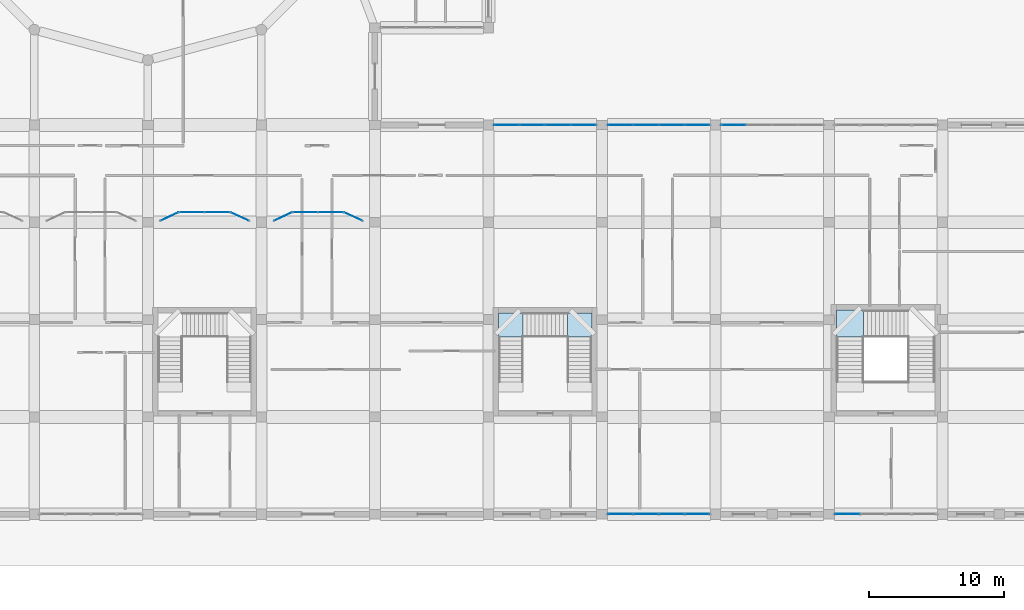
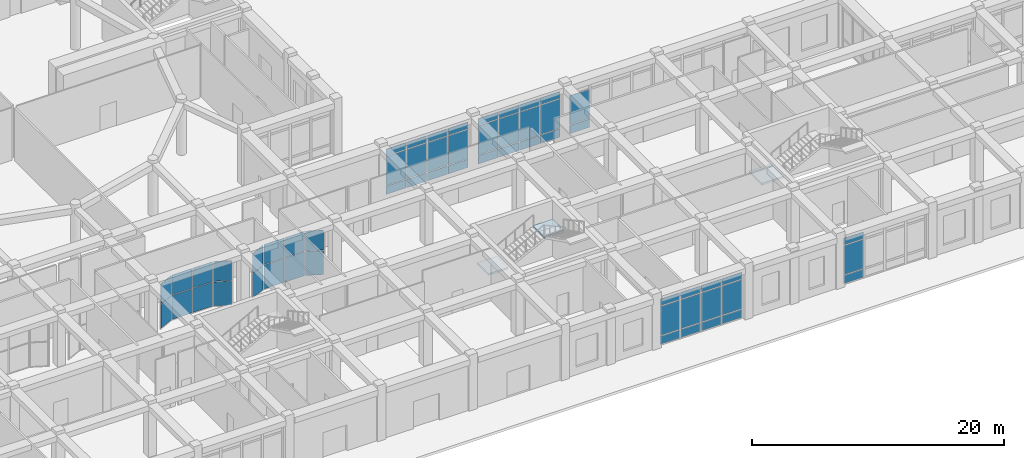
# One storey, part 52 of 84: 57 plates, 3 slabs, 13 elements without a shape of their own.
"""IFC4 building model written with IfcOpenShell, lengths in metres."""

from ifc_helpers import new_model, si_unit, derived_unit, direction, frame, origin, origin_2d, place, context, subcontext, project, spatial, polyline, rectangle, outline, extrude, material, layer, layer_set, type_object, element, aggregate, save


model = new_model("IFC4")

# Units and contexts
model_context = context("Model", 3, precision=1e-05, world=origin(), true_north=direction((0.0, 1.0)))
body_context = subcontext(model_context, "Body", "Model", "MODEL_VIEW")
ifc_project = project(units=[si_unit("LENGTHUNIT", "METRE"), si_unit("AREAUNIT", "SQUARE_METRE"), si_unit("VOLUMEUNIT", "CUBIC_METRE"), si_unit("PLANEANGLEUNIT", "RADIAN"), si_unit("MASSUNIT", "GRAM", prefix="KILO"), derived_unit("THERMALTRANSMITTANCEUNIT", [(si_unit("POWERUNIT", "WATT"), 1), (si_unit("LENGTHUNIT", "METRE"), -2), (si_unit("THERMODYNAMICTEMPERATUREUNIT", "KELVIN"), -1)])], contexts=[model_context])

# Site, building, storey
site_placement = place(None, origin())
site = spatial("IfcSite", under=ifc_project, at=site_placement, CompositionType="ELEMENT")
building_placement = place(site_placement, origin())
building = spatial("IfcBuilding", under=site, at=building_placement, Name="Veybourne Emporium", CompositionType="ELEMENT")
storey_placement = place(building_placement, origin())
storey = spatial("IfcBuildingStorey", under=building, at=storey_placement, Name="L00", CompositionType="ELEMENT", Elevation=0.0)

# Curtain wall, plates
ifc_material_1 = material(Name="Patinated Architectural Bronze", Category="bronze")
curtain_wall_type_1 = type_object("IfcCurtainWallType", Name="CWSystem_CWS-09", PredefinedType="NOTDEFINED", material=ifc_material_1)
curtain_wall_1_placement = place(storey_placement, origin())
curtain_wall_1 = element("IfcCurtainWall", 1, at=curtain_wall_1_placement, inside=storey, type_object=curtain_wall_type_1, Name="L00 bronze glazed curtain wall CWS-09 (054)", PredefinedType="NOTDEFINED")
ifc_material_2 = material(Name="Solar Control Laminated Glass", Category="glass")
ifc_layer_1 = layer(ifc_material_2, 0.035888671875)
ifc_layer_set_1 = layer_set([ifc_layer_1], Name="Solar Control Laminated Glass")
plate_type_1 = type_object("IfcPlateType", Name="CWPanel_CW-P2", PredefinedType="CURTAIN_PANEL", material=ifc_layer_set_1)
plate_1_placement = place(storey_placement, frame((102.146240234375, 28.800048828125, 0.072021484375), z_axis=(0.0, 0.0, 1.0), x_axis=(1.0, 0.0, 0.0)))
plate_1 = element("IfcPlate", 2, at=plate_1_placement, type_object=plate_type_1, Name="CWS-09 panel 1.1", PredefinedType="CURTAIN_PANEL", context=body_context, shape_type="SweptSolid", body=[
    extrude(rectangle(XDim=1.79833984375, YDim=0.035888671875, at=origin_2d()), origin(), (0.0, 0.0, 1.0), 0.7919921875),
])
plate_2_placement = place(storey_placement, frame((102.146240234375, 28.800048828125, 0.93603515625), z_axis=(0.0, 0.0, 1.0), x_axis=(1.0, 0.0, 0.0)))
plate_2 = element("IfcPlate", 3, at=plate_2_placement, type_object=plate_type_1, Name="CWS-09 panel 1.2", PredefinedType="CURTAIN_PANEL", context=body_context, shape_type="SweptSolid", body=[
    extrude(rectangle(XDim=1.79833984375, YDim=0.035888671875, at=origin_2d()), origin(), (0.0, 0.0, 1.0), 2.80810546875),
])
plate_3_placement = place(storey_placement, frame((102.146240234375, 28.800048828125, 3.81591796875), z_axis=(0.0, 0.0, 1.0), x_axis=(1.0, 0.0, 0.0)))
plate_3 = element("IfcPlate", 4, at=plate_3_placement, type_object=plate_type_1, Name="CWS-09 panel 1.3", PredefinedType="CURTAIN_PANEL", context=body_context, shape_type="SweptSolid", body=[
    extrude(rectangle(XDim=1.79833984375, YDim=0.035888671875, at=origin_2d()), origin(), (0.0, 0.0, 1.0), 0.64208984375),
])
plate_4_placement = place(storey_placement, frame((104.034423828125, 28.800048828125, 0.072021484375), z_axis=(0.0, 0.0, 1.0), x_axis=(1.0, 0.0, 0.0)))
plate_4 = element("IfcPlate", 5, at=plate_4_placement, type_object=plate_type_1, Name="CWS-09 panel 2.1", PredefinedType="CURTAIN_PANEL", context=body_context, shape_type="SweptSolid", body=[
    extrude(rectangle(XDim=1.834228515625, YDim=0.035888671875, at=origin_2d()), origin(), (0.0, 0.0, 1.0), 0.7919921875),
])
plate_5_placement = place(storey_placement, frame((104.034423828125, 28.800048828125, 0.93603515625), z_axis=(0.0, 0.0, 1.0), x_axis=(1.0, 0.0, 0.0)))
plate_5 = element("IfcPlate", 6, at=plate_5_placement, type_object=plate_type_1, Name="CWS-09 panel 2.2", PredefinedType="CURTAIN_PANEL", context=body_context, shape_type="SweptSolid", body=[
    extrude(rectangle(XDim=1.834228515625, YDim=0.035888671875, at=origin_2d()), origin(), (0.0, 0.0, 1.0), 2.80810546875),
])
plate_6_placement = place(storey_placement, frame((104.034423828125, 28.800048828125, 3.81591796875), z_axis=(0.0, 0.0, 1.0), x_axis=(1.0, 0.0, 0.0)))
plate_6 = element("IfcPlate", 7, at=plate_6_placement, type_object=plate_type_1, Name="CWS-09 panel 2.3", PredefinedType="CURTAIN_PANEL", context=body_context, shape_type="SweptSolid", body=[
    extrude(rectangle(XDim=1.834228515625, YDim=0.035888671875, at=origin_2d()), origin(), (0.0, 0.0, 1.0), 0.64208984375),
])
plate_7_placement = place(storey_placement, frame((105.940673828125, 28.800048828125, 0.072021484375), z_axis=(0.0, 0.0, 1.0), x_axis=(1.0, 0.0, 0.0)))
plate_7 = element("IfcPlate", 8, at=plate_7_placement, type_object=plate_type_1, Name="CWS-09 panel 3.1", PredefinedType="CURTAIN_PANEL", context=body_context, shape_type="SweptSolid", body=[
    extrude(rectangle(XDim=1.834228515625, YDim=0.035888671875, at=origin_2d()), origin(), (0.0, 0.0, 1.0), 0.7919921875),
])
plate_8_placement = place(storey_placement, frame((105.940673828125, 28.800048828125, 0.93603515625), z_axis=(0.0, 0.0, 1.0), x_axis=(1.0, 0.0, 0.0)))
plate_8 = element("IfcPlate", 9, at=plate_8_placement, type_object=plate_type_1, Name="CWS-09 panel 3.2", PredefinedType="CURTAIN_PANEL", context=body_context, shape_type="SweptSolid", body=[
    extrude(rectangle(XDim=1.834228515625, YDim=0.035888671875, at=origin_2d()), origin(), (0.0, 0.0, 1.0), 2.80810546875),
])
plate_9_placement = place(storey_placement, frame((105.940673828125, 28.800048828125, 3.81591796875), z_axis=(0.0, 0.0, 1.0), x_axis=(1.0, 0.0, 0.0)))
plate_9 = element("IfcPlate", 10, at=plate_9_placement, type_object=plate_type_1, Name="CWS-09 panel 3.3", PredefinedType="CURTAIN_PANEL", context=body_context, shape_type="SweptSolid", body=[
    extrude(rectangle(XDim=1.834228515625, YDim=0.035888671875, at=origin_2d()), origin(), (0.0, 0.0, 1.0), 0.64208984375),
])
plate_10_placement = place(storey_placement, frame((107.828857421875, 28.800048828125, 0.072021484375), z_axis=(0.0, 0.0, 1.0), x_axis=(1.0, 0.0, 0.0)))
plate_10 = element("IfcPlate", 11, at=plate_10_placement, type_object=plate_type_1, Name="CWS-09 panel 4.1", PredefinedType="CURTAIN_PANEL", context=body_context, shape_type="SweptSolid", body=[
    extrude(rectangle(XDim=1.79833984375, YDim=0.035888671875, at=origin_2d()), origin(), (0.0, 0.0, 1.0), 0.7919921875),
])
plate_11_placement = place(storey_placement, frame((107.828857421875, 28.800048828125, 0.93603515625), z_axis=(0.0, 0.0, 1.0), x_axis=(1.0, 0.0, 0.0)))
plate_11 = element("IfcPlate", 12, at=plate_11_placement, type_object=plate_type_1, Name="CWS-09 panel 4.2", PredefinedType="CURTAIN_PANEL", context=body_context, shape_type="SweptSolid", body=[
    extrude(rectangle(XDim=1.79833984375, YDim=0.035888671875, at=origin_2d()), origin(), (0.0, 0.0, 1.0), 2.80810546875),
])
plate_12_placement = place(storey_placement, frame((107.828857421875, 28.800048828125, 3.81591796875), z_axis=(0.0, 0.0, 1.0), x_axis=(1.0, 0.0, 0.0)))
plate_12 = element("IfcPlate", 13, at=plate_12_placement, type_object=plate_type_1, Name="CWS-09 panel 4.3", PredefinedType="CURTAIN_PANEL", context=body_context, shape_type="SweptSolid", body=[
    extrude(rectangle(XDim=1.79833984375, YDim=0.035888671875, at=origin_2d()), origin(), (0.0, 0.0, 1.0), 0.64208984375),
])
aggregate(curtain_wall_1, [plate_1, plate_2, plate_3, plate_4, plate_5, plate_6, plate_7, plate_8, plate_9, plate_10, plate_11, plate_12])

curtain_wall_type_2 = type_object("IfcCurtainWallType", Name="CWSystem_CWS-11", PredefinedType="NOTDEFINED", material=ifc_material_1)
curtain_wall_2_placement = place(storey_placement, origin())
curtain_wall_2 = element("IfcCurtainWall", 14, at=curtain_wall_2_placement, inside=storey, type_object=curtain_wall_type_2, Name="L00 bronze glazed curtain wall CWS-11 (057)", PredefinedType="NOTDEFINED")
plate_13_placement = place(storey_placement, frame((116.25244140625, 0.0, 0.078125), z_axis=(0.0, 0.0, 1.0), x_axis=(-1.0, 0.0, 0.0)))
plate_13 = element("IfcPlate", 15, at=plate_13_placement, type_object=plate_type_1, Name="CWS-11 panel 1.1", PredefinedType="CURTAIN_PANEL", context=body_context, shape_type="SweptSolid", body=[
    extrude(rectangle(XDim=1.789306640625, YDim=0.035888671875, at=origin_2d()), origin(), (0.0, 0.0, 1.0), 0.782958984375),
])
plate_14_placement = place(storey_placement, frame((116.25244140625, 0.0, 0.93896484375), z_axis=(0.0, 0.0, 1.0), x_axis=(-1.0, 0.0, 0.0)))
plate_14 = element("IfcPlate", 16, at=plate_14_placement, type_object=plate_type_1, Name="CWS-11 panel 1.2", PredefinedType="CURTAIN_PANEL", context=body_context, shape_type="SweptSolid", body=[
    extrude(rectangle(XDim=1.789306640625, YDim=0.035888671875, at=origin_2d()), origin(), (0.0, 0.0, 1.0), 2.802001953125),
])
plate_15_placement = place(storey_placement, frame((116.25244140625, 0.0, 3.81884765625), z_axis=(0.0, 0.0, 1.0), x_axis=(-1.0, 0.0, 0.0)))
plate_15 = element("IfcPlate", 17, at=plate_15_placement, type_object=plate_type_1, Name="CWS-11 panel 1.3", PredefinedType="CURTAIN_PANEL", context=body_context, shape_type="SweptSolid", body=[
    extrude(rectangle(XDim=1.789306640625, YDim=0.035888671875, at=origin_2d()), origin(), (0.0, 0.0, 1.0), 0.633056640625),
])
plate_16_placement = place(storey_placement, frame((114.36572265625, 0.0, 0.078125), z_axis=(0.0, 0.0, 1.0), x_axis=(-1.0, 0.0, 0.0)))
plate_16 = element("IfcPlate", 18, at=plate_16_placement, type_object=plate_type_1, Name="CWS-11 panel 2.1", PredefinedType="CURTAIN_PANEL", context=body_context, shape_type="SweptSolid", body=[
    extrude(rectangle(XDim=1.828369140625, YDim=0.035888671875, at=origin_2d()), origin(), (0.0, 0.0, 1.0), 0.782958984375),
])
plate_17_placement = place(storey_placement, frame((114.36572265625, 0.0, 0.93896484375), z_axis=(0.0, 0.0, 1.0), x_axis=(-1.0, 0.0, 0.0)))
plate_17 = element("IfcPlate", 19, at=plate_17_placement, type_object=plate_type_1, Name="CWS-11 panel 2.2", PredefinedType="CURTAIN_PANEL", context=body_context, shape_type="SweptSolid", body=[
    extrude(rectangle(XDim=1.828369140625, YDim=0.035888671875, at=origin_2d()), origin(), (0.0, 0.0, 1.0), 2.802001953125),
])
plate_18_placement = place(storey_placement, frame((114.36572265625, 0.0, 3.81884765625), z_axis=(0.0, 0.0, 1.0), x_axis=(-1.0, 0.0, 0.0)))
plate_18 = element("IfcPlate", 20, at=plate_18_placement, type_object=plate_type_1, Name="CWS-11 panel 2.3", PredefinedType="CURTAIN_PANEL", context=body_context, shape_type="SweptSolid", body=[
    extrude(rectangle(XDim=1.828369140625, YDim=0.035888671875, at=origin_2d()), origin(), (0.0, 0.0, 1.0), 0.633056640625),
])
plate_19_placement = place(storey_placement, frame((112.45947265625, 0.0, 0.078125), z_axis=(0.0, 0.0, 1.0), x_axis=(-1.0, 0.0, 0.0)))
plate_19 = element("IfcPlate", 21, at=plate_19_placement, type_object=plate_type_1, Name="CWS-11 panel 3.1", PredefinedType="CURTAIN_PANEL", context=body_context, shape_type="SweptSolid", body=[
    extrude(rectangle(XDim=1.828369140625, YDim=0.035888671875, at=origin_2d()), origin(), (0.0, 0.0, 1.0), 0.782958984375),
])
plate_20_placement = place(storey_placement, frame((112.45947265625, 0.0, 0.93896484375), z_axis=(0.0, 0.0, 1.0), x_axis=(-1.0, 0.0, 0.0)))
plate_20 = element("IfcPlate", 22, at=plate_20_placement, type_object=plate_type_1, Name="CWS-11 panel 3.2", PredefinedType="CURTAIN_PANEL", context=body_context, shape_type="SweptSolid", body=[
    extrude(rectangle(XDim=1.828369140625, YDim=0.035888671875, at=origin_2d()), origin(), (0.0, 0.0, 1.0), 2.802001953125),
])
plate_21_placement = place(storey_placement, frame((112.45947265625, 0.0, 3.81884765625), z_axis=(0.0, 0.0, 1.0), x_axis=(-1.0, 0.0, 0.0)))
plate_21 = element("IfcPlate", 23, at=plate_21_placement, type_object=plate_type_1, Name="CWS-11 panel 3.3", PredefinedType="CURTAIN_PANEL", context=body_context, shape_type="SweptSolid", body=[
    extrude(rectangle(XDim=1.828369140625, YDim=0.035888671875, at=origin_2d()), origin(), (0.0, 0.0, 1.0), 0.633056640625),
])
plate_22_placement = place(storey_placement, frame((110.572509765625, 0.0, 0.078125), z_axis=(0.0, 0.0, 1.0), x_axis=(-1.0, 0.0, 0.0)))
plate_22 = element("IfcPlate", 24, at=plate_22_placement, type_object=plate_type_1, Name="CWS-11 panel 4.1", PredefinedType="CURTAIN_PANEL", context=body_context, shape_type="SweptSolid", body=[
    extrude(rectangle(XDim=1.789306640625, YDim=0.035888671875, at=origin_2d()), origin(), (0.0, 0.0, 1.0), 0.782958984375),
])
plate_23_placement = place(storey_placement, frame((110.572509765625, 0.0, 0.93896484375), z_axis=(0.0, 0.0, 1.0), x_axis=(-1.0, 0.0, 0.0)))
plate_23 = element("IfcPlate", 25, at=plate_23_placement, type_object=plate_type_1, Name="CWS-11 panel 4.2", PredefinedType="CURTAIN_PANEL", context=body_context, shape_type="SweptSolid", body=[
    extrude(rectangle(XDim=1.789306640625, YDim=0.035888671875, at=origin_2d()), origin(), (0.0, 0.0, 1.0), 2.802001953125),
])
plate_24_placement = place(storey_placement, frame((110.572509765625, 0.0, 3.81884765625), z_axis=(0.0, 0.0, 1.0), x_axis=(-1.0, 0.0, 0.0)))
plate_24 = element("IfcPlate", 26, at=plate_24_placement, type_object=plate_type_1, Name="CWS-11 panel 4.3", PredefinedType="CURTAIN_PANEL", context=body_context, shape_type="SweptSolid", body=[
    extrude(rectangle(XDim=1.789306640625, YDim=0.035888671875, at=origin_2d()), origin(), (0.0, 0.0, 1.0), 0.633056640625),
])
aggregate(curtain_wall_2, [plate_13, plate_14, plate_15, plate_16, plate_17, plate_18, plate_19, plate_20, plate_21, plate_22, plate_23, plate_24])

curtain_wall_type_3 = type_object("IfcCurtainWallType", Name="CWSystem_CWS-12", PredefinedType="NOTDEFINED", material=ifc_material_1)
curtain_wall_3_placement = place(storey_placement, origin())
curtain_wall_3 = element("IfcCurtainWall", 27, at=curtain_wall_3_placement, inside=storey, type_object=curtain_wall_type_3, Name="L00 bronze glazed curtain wall CWS-12 (058)", PredefinedType="NOTDEFINED")
plate_25_placement = place(storey_placement, frame((110.570556640625, 28.800048828125, 0.070068359375), z_axis=(0.0, 0.0, 1.0), x_axis=(1.0, 0.0, 0.0)))
plate_25 = element("IfcPlate", 28, at=plate_25_placement, type_object=plate_type_1, Name="CWS-12 panel 1.1", PredefinedType="CURTAIN_PANEL", context=body_context, shape_type="SweptSolid", body=[
    extrude(rectangle(XDim=1.80126953125, YDim=0.035888671875, at=origin_2d()), origin(), (0.0, 0.0, 1.0), 0.794921875),
])
plate_26_placement = place(storey_placement, frame((110.570556640625, 28.800048828125, 0.93505859375), z_axis=(0.0, 0.0, 1.0), x_axis=(1.0, 0.0, 0.0)))
plate_26 = element("IfcPlate", 29, at=plate_26_placement, type_object=plate_type_1, Name="CWS-12 panel 1.2", PredefinedType="CURTAIN_PANEL", context=body_context, shape_type="SweptSolid", body=[
    extrude(rectangle(XDim=1.80126953125, YDim=0.035888671875, at=origin_2d()), origin(), (0.0, 0.0, 1.0), 2.81005859375),
])
plate_27_placement = place(storey_placement, frame((110.570556640625, 28.800048828125, 3.81494140625), z_axis=(0.0, 0.0, 1.0), x_axis=(1.0, 0.0, 0.0)))
plate_27 = element("IfcPlate", 30, at=plate_27_placement, type_object=plate_type_1, Name="CWS-12 panel 1.3", PredefinedType="CURTAIN_PANEL", context=body_context, shape_type="SweptSolid", body=[
    extrude(rectangle(XDim=1.80126953125, YDim=0.035888671875, at=origin_2d()), origin(), (0.0, 0.0, 1.0), 0.64501953125),
])
plate_28_placement = place(storey_placement, frame((112.45947265625, 28.800048828125, 0.070068359375), z_axis=(0.0, 0.0, 1.0), x_axis=(1.0, 0.0, 0.0)))
plate_28 = element("IfcPlate", 31, at=plate_28_placement, type_object=plate_type_1, Name="CWS-12 panel 2.1", PredefinedType="CURTAIN_PANEL", context=body_context, shape_type="SweptSolid", body=[
    extrude(rectangle(XDim=1.836181640625, YDim=0.035888671875, at=origin_2d()), origin(), (0.0, 0.0, 1.0), 0.794921875),
])
plate_29_placement = place(storey_placement, frame((112.45947265625, 28.800048828125, 0.93505859375), z_axis=(0.0, 0.0, 1.0), x_axis=(1.0, 0.0, 0.0)))
plate_29 = element("IfcPlate", 32, at=plate_29_placement, type_object=plate_type_1, Name="CWS-12 panel 2.2", PredefinedType="CURTAIN_PANEL", context=body_context, shape_type="SweptSolid", body=[
    extrude(rectangle(XDim=1.836181640625, YDim=0.035888671875, at=origin_2d()), origin(), (0.0, 0.0, 1.0), 2.81005859375),
])
plate_30_placement = place(storey_placement, frame((112.45947265625, 28.800048828125, 3.81494140625), z_axis=(0.0, 0.0, 1.0), x_axis=(1.0, 0.0, 0.0)))
plate_30 = element("IfcPlate", 33, at=plate_30_placement, type_object=plate_type_1, Name="CWS-12 panel 2.3", PredefinedType="CURTAIN_PANEL", context=body_context, shape_type="SweptSolid", body=[
    extrude(rectangle(XDim=1.836181640625, YDim=0.035888671875, at=origin_2d()), origin(), (0.0, 0.0, 1.0), 0.64501953125),
])
plate_31_placement = place(storey_placement, frame((114.36572265625, 28.800048828125, 0.070068359375), z_axis=(0.0, 0.0, 1.0), x_axis=(1.0, 0.0, 0.0)))
plate_31 = element("IfcPlate", 34, at=plate_31_placement, type_object=plate_type_1, Name="CWS-12 panel 3.1", PredefinedType="CURTAIN_PANEL", context=body_context, shape_type="SweptSolid", body=[
    extrude(rectangle(XDim=1.836181640625, YDim=0.035888671875, at=origin_2d()), origin(), (0.0, 0.0, 1.0), 0.794921875),
])
plate_32_placement = place(storey_placement, frame((114.36572265625, 28.800048828125, 0.93505859375), z_axis=(0.0, 0.0, 1.0), x_axis=(1.0, 0.0, 0.0)))
plate_32 = element("IfcPlate", 35, at=plate_32_placement, type_object=plate_type_1, Name="CWS-12 panel 3.2", PredefinedType="CURTAIN_PANEL", context=body_context, shape_type="SweptSolid", body=[
    extrude(rectangle(XDim=1.836181640625, YDim=0.035888671875, at=origin_2d()), origin(), (0.0, 0.0, 1.0), 2.81005859375),
])
plate_33_placement = place(storey_placement, frame((114.36572265625, 28.800048828125, 3.81494140625), z_axis=(0.0, 0.0, 1.0), x_axis=(1.0, 0.0, 0.0)))
plate_33 = element("IfcPlate", 36, at=plate_33_placement, type_object=plate_type_1, Name="CWS-12 panel 3.3", PredefinedType="CURTAIN_PANEL", context=body_context, shape_type="SweptSolid", body=[
    extrude(rectangle(XDim=1.836181640625, YDim=0.035888671875, at=origin_2d()), origin(), (0.0, 0.0, 1.0), 0.64501953125),
])
plate_34_placement = place(storey_placement, frame((116.25439453125, 28.800048828125, 0.070068359375), z_axis=(0.0, 0.0, 1.0), x_axis=(1.0, 0.0, 0.0)))
plate_34 = element("IfcPlate", 37, at=plate_34_placement, type_object=plate_type_1, Name="CWS-12 panel 4.1", PredefinedType="CURTAIN_PANEL", context=body_context, shape_type="SweptSolid", body=[
    extrude(rectangle(XDim=1.80126953125, YDim=0.035888671875, at=origin_2d()), origin(), (0.0, 0.0, 1.0), 0.794921875),
])
plate_35_placement = place(storey_placement, frame((116.25439453125, 28.800048828125, 0.93505859375), z_axis=(0.0, 0.0, 1.0), x_axis=(1.0, 0.0, 0.0)))
plate_35 = element("IfcPlate", 38, at=plate_35_placement, type_object=plate_type_1, Name="CWS-12 panel 4.2", PredefinedType="CURTAIN_PANEL", context=body_context, shape_type="SweptSolid", body=[
    extrude(rectangle(XDim=1.80126953125, YDim=0.035888671875, at=origin_2d()), origin(), (0.0, 0.0, 1.0), 2.81005859375),
])
plate_36_placement = place(storey_placement, frame((116.25439453125, 28.800048828125, 3.81494140625), z_axis=(0.0, 0.0, 1.0), x_axis=(1.0, 0.0, 0.0)))
plate_36 = element("IfcPlate", 39, at=plate_36_placement, type_object=plate_type_1, Name="CWS-12 panel 4.3", PredefinedType="CURTAIN_PANEL", context=body_context, shape_type="SweptSolid", body=[
    extrude(rectangle(XDim=1.80126953125, YDim=0.035888671875, at=origin_2d()), origin(), (0.0, 0.0, 1.0), 0.64501953125),
])
aggregate(curtain_wall_3, [plate_25, plate_26, plate_27, plate_28, plate_29, plate_30, plate_31, plate_32, plate_33, plate_34, plate_35, plate_36])

curtain_wall_type_4 = type_object("IfcCurtainWallType", Name="CWSystem_CWS-13", PredefinedType="NOTDEFINED", material=ifc_material_1)
curtain_wall_4_placement = place(storey_placement, origin())
curtain_wall_4 = element("IfcCurtainWall", 40, at=curtain_wall_4_placement, inside=storey, type_object=curtain_wall_type_4, Name="L00 bronze glazed curtain wall CWS-13 (064)", PredefinedType="NOTDEFINED")
plate_37_placement = place(storey_placement, frame((118.946044921875, 28.800048828125, 0.072021484375), z_axis=(0.0, 0.0, 1.0), x_axis=(1.0, 0.0, 0.0)))
plate_37 = element("IfcPlate", 41, at=plate_37_placement, type_object=plate_type_1, Name="CWS-13 panel 1.1", PredefinedType="CURTAIN_PANEL", context=body_context, shape_type="SweptSolid", body=[
    extrude(rectangle(XDim=1.79833984375, YDim=0.035888671875, at=origin_2d()), origin(), (0.0, 0.0, 1.0), 0.7919921875),
])
plate_38_placement = place(storey_placement, frame((118.946044921875, 28.800048828125, 0.93603515625), z_axis=(0.0, 0.0, 1.0), x_axis=(1.0, 0.0, 0.0)))
plate_38 = element("IfcPlate", 42, at=plate_38_placement, type_object=plate_type_1, Name="CWS-13 panel 1.2", PredefinedType="CURTAIN_PANEL", context=body_context, shape_type="SweptSolid", body=[
    extrude(rectangle(XDim=1.79833984375, YDim=0.035888671875, at=origin_2d()), origin(), (0.0, 0.0, 1.0), 2.80810546875),
])
aggregate(curtain_wall_4, [plate_37, plate_38])

curtain_wall_type_5 = type_object("IfcCurtainWallType", Name="CWSystem_CWS-14", PredefinedType="NOTDEFINED", material=ifc_material_1)
curtain_wall_5_placement = place(storey_placement, origin())
curtain_wall_5 = element("IfcCurtainWall", 43, at=curtain_wall_5_placement, inside=storey, type_object=curtain_wall_type_5, Name="L00 bronze glazed curtain wall CWS-14 (065)", PredefinedType="NOTDEFINED")
plate_39_placement = place(storey_placement, frame((127.371826171875, 0.0, 0.074951171875), z_axis=(0.0, 0.0, 1.0), x_axis=(-1.0, 0.0, 0.0)))
plate_39 = element("IfcPlate", 44, at=plate_39_placement, type_object=plate_type_1, Name="CWS-14 panel 4.1", PredefinedType="CURTAIN_PANEL", context=body_context, shape_type="SweptSolid", body=[
    extrude(rectangle(XDim=1.793701171875, YDim=0.035888671875, at=origin_2d()), origin(), (0.0, 0.0, 1.0), 0.78759765625),
])
plate_40_placement = place(storey_placement, frame((127.371826171875, 0.0, 0.9375), z_axis=(0.0, 0.0, 1.0), x_axis=(-1.0, 0.0, 0.0)))
plate_40 = element("IfcPlate", 45, at=plate_40_placement, type_object=plate_type_1, Name="CWS-14 panel 4.2", PredefinedType="CURTAIN_PANEL", context=body_context, shape_type="SweptSolid", body=[
    extrude(rectangle(XDim=1.793701171875, YDim=0.035888671875, at=origin_2d()), origin(), (0.0, 0.0, 1.0), 2.804931640625),
])
plate_41_placement = place(storey_placement, frame((127.371826171875, 0.0, 3.8173828125), z_axis=(0.0, 0.0, 1.0), x_axis=(-1.0, 0.0, 0.0)))
plate_41 = element("IfcPlate", 46, at=plate_41_placement, type_object=plate_type_1, Name="CWS-14 panel 4.3", PredefinedType="CURTAIN_PANEL", context=body_context, shape_type="SweptSolid", body=[
    extrude(rectangle(XDim=1.793701171875, YDim=0.035888671875, at=origin_2d()), origin(), (0.0, 0.0, 1.0), 0.637451171875),
])
aggregate(curtain_wall_5, [plate_39, plate_40, plate_41])

curtain_wall_type_6 = type_object("IfcCurtainWallType", Name="CWSystem_CWI-04", PredefinedType="NOTDEFINED", material=ifc_material_1)
curtain_wall_6_placement = place(storey_placement, origin())
curtain_wall_6 = element("IfcCurtainWall", 47, at=curtain_wall_6_placement, inside=storey, type_object=curtain_wall_type_6, Name="Arcade bow-front boutique shopfront L00 bay 9 facet 1", PredefinedType="NOTDEFINED")
ifc_layer_2 = layer(ifc_material_2, 0.02197265625)
ifc_layer_set_2 = layer_set([ifc_layer_2], Name="Solar Control Laminated Glass")
plate_type_2 = type_object("IfcPlateType", Name="CWPanel_CW-P3", PredefinedType="CURTAIN_PANEL", material=ifc_layer_set_2)
plate_42_placement = place(storey_placement, frame((77.199951171875, 22.02490234375, 0.0498046875), z_axis=(0.0, 0.0, 1.0), x_axis=(0.907008967749, 0.421111306453, 0.0)))
plate_42 = element("IfcPlate", 48, at=plate_42_placement, type_object=plate_type_2, Name="CWI-04 panel 1.1", PredefinedType="CURTAIN_PANEL", context=body_context, shape_type="SweptSolid", body=[
    extrude(rectangle(XDim=1.443603515625, YDim=0.02197265625, at=origin_2d()), origin(), (0.0, 0.0, 1.0), 2.324951171875),
])
plate_43_placement = place(storey_placement, frame((77.199951171875, 22.02490234375, 2.4248046875), z_axis=(0.0, 0.0, 1.0), x_axis=(0.907008967749, 0.421111306453, 0.0)))
plate_43 = element("IfcPlate", 49, at=plate_43_placement, type_object=plate_type_2, Name="CWI-04 panel 1.2", PredefinedType="CURTAIN_PANEL", context=body_context, shape_type="SweptSolid", body=[
    extrude(rectangle(XDim=1.443603515625, YDim=0.02197265625, at=origin_2d()), origin(), (0.0, 0.0, 1.0), 1.925048828125),
])
aggregate(curtain_wall_6, [plate_42, plate_43])

curtain_wall_type_7 = type_object("IfcCurtainWallType", Name="CWSystem_CWI-05", PredefinedType="NOTDEFINED", material=ifc_material_1)
curtain_wall_7_placement = place(storey_placement, origin())
curtain_wall_7 = element("IfcCurtainWall", 50, at=curtain_wall_7_placement, inside=storey, type_object=curtain_wall_type_7, Name="Arcade bow-front boutique shopfront L00 bay 9 facet 2", PredefinedType="NOTDEFINED")
plate_44_placement = place(storey_placement, frame((78.862548828125, 22.35009765625, 0.0498046875), z_axis=(0.0, 0.0, 1.0), x_axis=(1.0, 0.0, 0.0)))
plate_44 = element("IfcPlate", 51, at=plate_44_placement, type_object=plate_type_2, Name="CWI-05 panel 1.1", PredefinedType="CURTAIN_PANEL", context=body_context, shape_type="SweptSolid", body=[
    extrude(rectangle(XDim=1.824951171875, YDim=0.02197265625, at=origin_2d()), origin(), (0.0, 0.0, 1.0), 2.324951171875),
])
plate_45_placement = place(storey_placement, frame((78.862548828125, 22.35009765625, 2.4248046875), z_axis=(0.0, 0.0, 1.0), x_axis=(1.0, 0.0, 0.0)))
plate_45 = element("IfcPlate", 52, at=plate_45_placement, type_object=plate_type_2, Name="CWI-05 panel 1.2", PredefinedType="CURTAIN_PANEL", context=body_context, shape_type="SweptSolid", body=[
    extrude(rectangle(XDim=1.824951171875, YDim=0.02197265625, at=origin_2d()), origin(), (0.0, 0.0, 1.0), 1.925048828125),
])
plate_46_placement = place(storey_placement, frame((80.737548828125, 22.35009765625, 0.0498046875), z_axis=(0.0, 0.0, 1.0), x_axis=(1.0, 0.0, 0.0)))
plate_46 = element("IfcPlate", 53, at=plate_46_placement, type_object=plate_type_2, Name="CWI-05 panel 2.1", PredefinedType="CURTAIN_PANEL", context=body_context, shape_type="SweptSolid", body=[
    extrude(rectangle(XDim=1.824951171875, YDim=0.02197265625, at=origin_2d()), origin(), (0.0, 0.0, 1.0), 2.324951171875),
])
plate_47_placement = place(storey_placement, frame((80.737548828125, 22.35009765625, 2.4248046875), z_axis=(0.0, 0.0, 1.0), x_axis=(1.0, 0.0, 0.0)))
plate_47 = element("IfcPlate", 54, at=plate_47_placement, type_object=plate_type_2, Name="CWI-05 panel 2.2", PredefinedType="CURTAIN_PANEL", context=body_context, shape_type="SweptSolid", body=[
    extrude(rectangle(XDim=1.824951171875, YDim=0.02197265625, at=origin_2d()), origin(), (0.0, 0.0, 1.0), 1.925048828125),
])
aggregate(curtain_wall_7, [plate_44, plate_45, plate_46, plate_47])

curtain_wall_type_8 = type_object("IfcCurtainWallType", Name="CWSystem_CWI-06", PredefinedType="NOTDEFINED", material=ifc_material_1)
curtain_wall_8_placement = place(storey_placement, origin())
curtain_wall_8 = element("IfcCurtainWall", 55, at=curtain_wall_8_placement, inside=storey, type_object=curtain_wall_type_8, Name="Arcade bow-front boutique shopfront L00 bay 9 facet 3", PredefinedType="NOTDEFINED")
plate_48_placement = place(storey_placement, frame((82.39990234375, 22.02490234375, 0.0498046875), z_axis=(0.0, 0.0, 1.0), x_axis=(0.907008967749, -0.421111306453, 0.0)))
plate_48 = element("IfcPlate", 56, at=plate_48_placement, type_object=plate_type_2, Name="CWI-06 panel 1.1", PredefinedType="CURTAIN_PANEL", context=body_context, shape_type="SweptSolid", body=[
    extrude(rectangle(XDim=1.443603515625, YDim=0.02197265625, at=origin_2d()), origin(), (0.0, 0.0, 1.0), 2.324951171875),
])
plate_49_placement = place(storey_placement, frame((82.39990234375, 22.02490234375, 2.4248046875), z_axis=(0.0, 0.0, 1.0), x_axis=(0.907008967749, -0.421111306453, 0.0)))
plate_49 = element("IfcPlate", 57, at=plate_49_placement, type_object=plate_type_2, Name="CWI-06 panel 1.2", PredefinedType="CURTAIN_PANEL", context=body_context, shape_type="SweptSolid", body=[
    extrude(rectangle(XDim=1.443603515625, YDim=0.02197265625, at=origin_2d()), origin(), (0.0, 0.0, 1.0), 1.925048828125),
])
aggregate(curtain_wall_8, [plate_48, plate_49])

curtain_wall_9_placement = place(storey_placement, origin())
curtain_wall_9 = element("IfcCurtainWall", 58, at=curtain_wall_9_placement, inside=storey, type_object=curtain_wall_type_7, Name="Arcade bow-front boutique shopfront L00 bay 10 facet 1", PredefinedType="NOTDEFINED")
plate_50_placement = place(storey_placement, frame((85.60009765625, 22.02490234375, 0.0498046875), z_axis=(0.0, 0.0, 1.0), x_axis=(0.907008967749, 0.421111306453, 0.0)))
plate_50 = element("IfcPlate", 59, at=plate_50_placement, type_object=plate_type_2, Name="CWI-05 panel 1.1", PredefinedType="CURTAIN_PANEL", context=body_context, shape_type="SweptSolid", body=[
    extrude(rectangle(XDim=1.443603515625, YDim=0.02197265625, at=origin_2d()), origin(), (0.0, 0.0, 1.0), 2.324951171875),
])
plate_51_placement = place(storey_placement, frame((85.60009765625, 22.02490234375, 2.4248046875), z_axis=(0.0, 0.0, 1.0), x_axis=(0.907008967749, 0.421111306453, 0.0)))
plate_51 = element("IfcPlate", 60, at=plate_51_placement, type_object=plate_type_2, Name="CWI-05 panel 1.2", PredefinedType="CURTAIN_PANEL", context=body_context, shape_type="SweptSolid", body=[
    extrude(rectangle(XDim=1.443603515625, YDim=0.02197265625, at=origin_2d()), origin(), (0.0, 0.0, 1.0), 1.925048828125),
])
aggregate(curtain_wall_9, [plate_50, plate_51])

curtain_wall_10_placement = place(storey_placement, origin())
curtain_wall_10 = element("IfcCurtainWall", 61, at=curtain_wall_10_placement, inside=storey, type_object=curtain_wall_type_8, Name="Arcade bow-front boutique shopfront L00 bay 10 facet 2", PredefinedType="NOTDEFINED")
plate_52_placement = place(storey_placement, frame((87.262451171875, 22.35009765625, 0.0498046875), z_axis=(0.0, 0.0, 1.0), x_axis=(1.0, 0.0, 0.0)))
plate_52 = element("IfcPlate", 62, at=plate_52_placement, type_object=plate_type_2, Name="CWI-06 panel 1.1", PredefinedType="CURTAIN_PANEL", context=body_context, shape_type="SweptSolid", body=[
    extrude(rectangle(XDim=1.824951171875, YDim=0.02197265625, at=origin_2d()), origin(), (0.0, 0.0, 1.0), 2.324951171875),
])
plate_53_placement = place(storey_placement, frame((87.262451171875, 22.35009765625, 2.4248046875), z_axis=(0.0, 0.0, 1.0), x_axis=(1.0, 0.0, 0.0)))
plate_53 = element("IfcPlate", 63, at=plate_53_placement, type_object=plate_type_2, Name="CWI-06 panel 1.2", PredefinedType="CURTAIN_PANEL", context=body_context, shape_type="SweptSolid", body=[
    extrude(rectangle(XDim=1.824951171875, YDim=0.02197265625, at=origin_2d()), origin(), (0.0, 0.0, 1.0), 1.925048828125),
])
plate_54_placement = place(storey_placement, frame((89.137451171875, 22.35009765625, 0.0498046875), z_axis=(0.0, 0.0, 1.0), x_axis=(1.0, 0.0, 0.0)))
plate_54 = element("IfcPlate", 64, at=plate_54_placement, type_object=plate_type_2, Name="CWI-06 panel 2.1", PredefinedType="CURTAIN_PANEL", context=body_context, shape_type="SweptSolid", body=[
    extrude(rectangle(XDim=1.824951171875, YDim=0.02197265625, at=origin_2d()), origin(), (0.0, 0.0, 1.0), 2.324951171875),
])
plate_55_placement = place(storey_placement, frame((89.137451171875, 22.35009765625, 2.4248046875), z_axis=(0.0, 0.0, 1.0), x_axis=(1.0, 0.0, 0.0)))
plate_55 = element("IfcPlate", 65, at=plate_55_placement, type_object=plate_type_2, Name="CWI-06 panel 2.2", PredefinedType="CURTAIN_PANEL", context=body_context, shape_type="SweptSolid", body=[
    extrude(rectangle(XDim=1.824951171875, YDim=0.02197265625, at=origin_2d()), origin(), (0.0, 0.0, 1.0), 1.925048828125),
])
aggregate(curtain_wall_10, [plate_52, plate_53, plate_54, plate_55])

curtain_wall_type_9 = type_object("IfcCurtainWallType", Name="CWSystem_CWI-01", PredefinedType="NOTDEFINED", material=ifc_material_1)
curtain_wall_11_placement = place(storey_placement, origin())
curtain_wall_11 = element("IfcCurtainWall", 66, at=curtain_wall_11_placement, inside=storey, type_object=curtain_wall_type_9, Name="Arcade bow-front boutique shopfront L00 bay 10 facet 3", PredefinedType="NOTDEFINED")
plate_56_placement = place(storey_placement, frame((90.800048828125, 22.02490234375, 0.0498046875), z_axis=(0.0, 0.0, 1.0), x_axis=(0.907008967749, -0.421111306453, 0.0)))
plate_56 = element("IfcPlate", 67, at=plate_56_placement, type_object=plate_type_2, Name="CWI-01 panel 1.1", PredefinedType="CURTAIN_PANEL", context=body_context, shape_type="SweptSolid", body=[
    extrude(rectangle(XDim=1.443603515625, YDim=0.02197265625, at=origin_2d()), origin(), (0.0, 0.0, 1.0), 2.324951171875),
])
plate_57_placement = place(storey_placement, frame((90.800048828125, 22.02490234375, 2.4248046875), z_axis=(0.0, 0.0, 1.0), x_axis=(0.907008967749, -0.421111306453, 0.0)))
plate_57 = element("IfcPlate", 68, at=plate_57_placement, type_object=plate_type_2, Name="CWI-01 panel 1.2", PredefinedType="CURTAIN_PANEL", context=body_context, shape_type="SweptSolid", body=[
    extrude(rectangle(XDim=1.443603515625, YDim=0.02197265625, at=origin_2d()), origin(), (0.0, 0.0, 1.0), 1.925048828125),
])
aggregate(curtain_wall_11, [plate_56, plate_57])

# Stair, slab
ifc_material_3 = material(Name="Concrete C32/40", Category="concrete")
stair_type_1 = type_object("IfcStairType", Name="Stair_ST-06-R36", PredefinedType="TWO_QUARTER_TURN_STAIR", material=ifc_material_3)
stair_1_placement = place(storey_placement, origin())
stair_1 = element("IfcStair", 69, at=stair_1_placement, inside=storey, type_object=stair_type_1, Name="L00 stair ST-06", PredefinedType="TWO_QUARTER_TURN_STAIR")
ifc_layer_3 = layer(ifc_material_3, 0.199951171875)
ifc_layer_set_3 = layer_set([ifc_layer_3], Name="Concrete C32/40")
slab_type_1 = type_object("IfcSlabType", Name="Landing_LDG-01", PredefinedType="LANDING", material=ifc_layer_set_3)
slab_1_placement = place(storey_placement, frame((0.0, 0.0, 1.60009765625)))
slab_1 = element("IfcSlab", 70, at=slab_1_placement, type_object=slab_type_1, Name="ST-06-R36 landing 1", PredefinedType="LANDING", context=body_context, shape_type="SweptSolid", body=[
    extrude(outline(polyline([(126.550048828125, 13.10009765625), (128.550048828125, 13.10009765625), (128.550048828125, 15.10009765625), (126.550048828125, 15.10009765625), (126.550048828125, 13.10009765625)])), origin(), (0.0, 0.0, 1.0), 0.199951171875),
])
aggregate(stair_1, [slab_1])

# Stair, slabs
stair_type_2 = type_object("IfcStairType", Name="Stair_ST-11-R36", PredefinedType="HALF_TURN_STAIR", material=ifc_material_3)
stair_2_placement = place(storey_placement, origin())
stair_2 = element("IfcStair", 71, at=stair_2_placement, inside=storey, type_object=stair_type_2, Name="L00 stair ST-11", PredefinedType="HALF_TURN_STAIR")
ifc_layer_4 = layer(ifc_material_3, 0.179931640625)
ifc_layer_set_4 = layer_set([ifc_layer_4], Name="Concrete C32/40")
slab_type_2 = type_object("IfcSlabType", Name="Landing_LDG-02", PredefinedType="LANDING", material=ifc_layer_set_4)
slab_2_placement = place(storey_placement, frame((0.0, 0.0, 1.6201171875)))
slab_2 = element("IfcSlab", 72, at=slab_2_placement, type_object=slab_type_2, Name="ST-11-R36 landing 1", PredefinedType="LANDING", context=body_context, shape_type="SweptSolid", body=[
    extrude(outline(polyline([(101.550048828125, 13.10009765625), (103.35009765625, 13.10009765625), (103.35009765625, 14.89990234375), (101.550048828125, 14.89990234375), (101.550048828125, 13.10009765625)])), origin(), (0.0, 0.0, 1.0), 0.179931640625),
])
slab_3_placement = place(storey_placement, frame((0.0, 0.0, 3.419921875)))
slab_3 = element("IfcSlab", 73, at=slab_3_placement, type_object=slab_type_2, Name="ST-11-R36 landing 2", PredefinedType="LANDING", context=body_context, shape_type="SweptSolid", body=[
    extrude(outline(polyline([(106.64990234375, 13.10009765625), (108.449951171875, 13.10009765625), (108.449951171875, 14.89990234375), (106.64990234375, 14.89990234375), (106.64990234375, 13.10009765625)])), origin(), (0.0, 0.0, 1.0), 0.18017578125),
])
aggregate(stair_2, [slab_2, slab_3])

save(model, "model.ifc")
